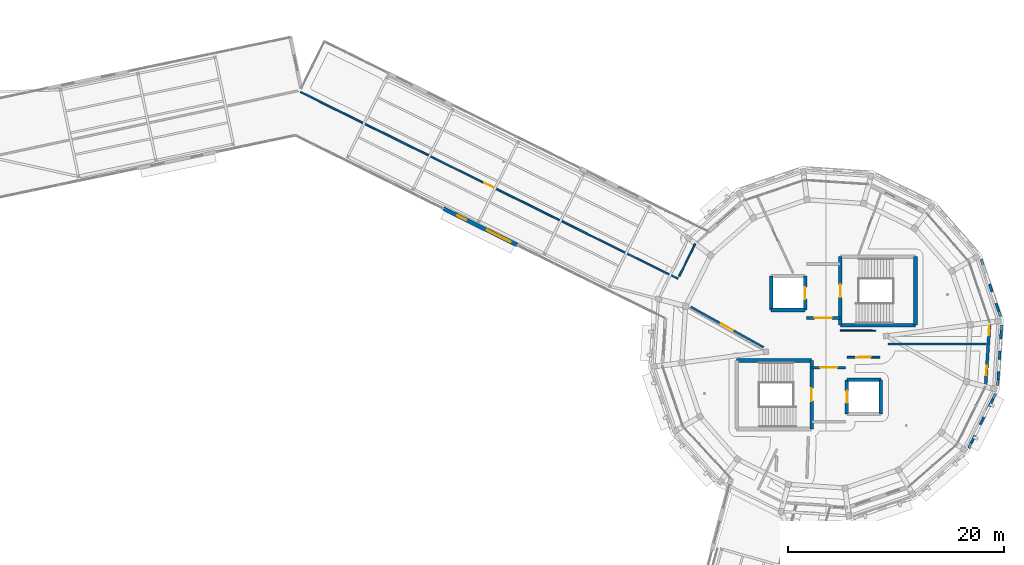
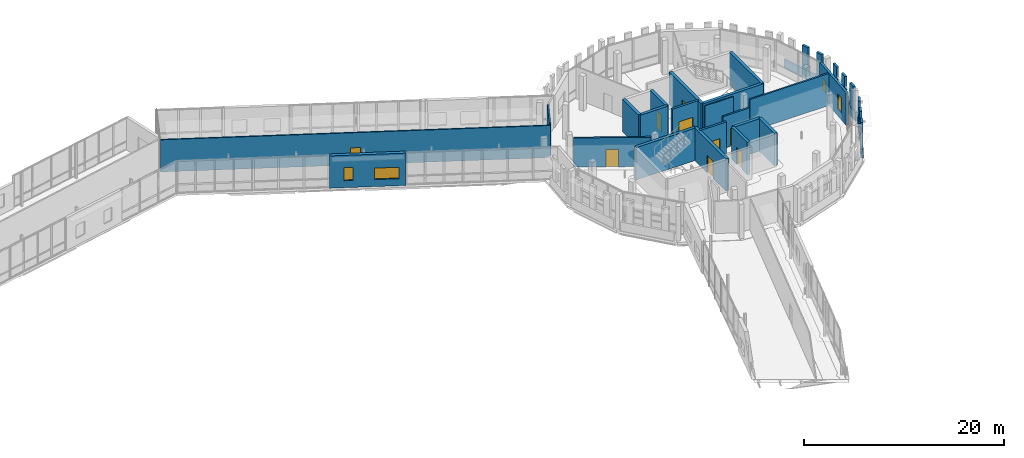
# One storey, part 102 of 125: 32 walls, 9 doors, 4 windows, 13 openings.
"""IFC4 building model written with IfcOpenShell, lengths in metres."""

from ifc_helpers import new_model, si_unit, direction, frame, frame_2d, origin, place, context, subcontext, project, spatial, rectangle, extrude, material, layer, layer_set, type_object, element, fill, save


model = new_model("IFC4")

# Units and contexts
model_context = context("Model", 3, precision=1e-05, world=origin(), true_north=direction((0.0, 1.0)))
body_context = subcontext(model_context, "Body", "Model", "MODEL_VIEW")
ifc_project = project(units=[si_unit("LENGTHUNIT", "METRE"), si_unit("AREAUNIT", "SQUARE_METRE"), si_unit("VOLUMEUNIT", "CUBIC_METRE"), si_unit("PLANEANGLEUNIT", "RADIAN"), si_unit("MASSUNIT", "GRAM", prefix="KILO")], contexts=[model_context])

# Site, building, storey
site_placement = place(None, origin())
site = spatial("IfcSite", under=ifc_project, at=site_placement, CompositionType="ELEMENT")
building_placement = place(site_placement, origin())
building = spatial("IfcBuilding", under=site, at=building_placement, Name="Wrenclough Park School", CompositionType="ELEMENT")
storey_placement = place(building_placement, frame((0.0, 0.0, 4.199951171875)))
storey = spatial("IfcBuildingStorey", under=building, at=storey_placement, Name="L01", CompositionType="ELEMENT", Elevation=4.199951171875)

# Walls
ifc_material_1 = material(Name="Perforated open-bond Staffordshire and Manchester brick screen pier", Category="masonry")
ifc_layer_1 = layer(ifc_material_1, 0.2451171875)
ifc_layer_set_1 = layer_set([ifc_layer_1], Name="Perforated open-bond Staffordshire and Manchester brick screen pier")
wall_type_1 = type_object("IfcWallType", Name="ENV-BS-PR245", PredefinedType="ELEMENTEDWALL", material=ifc_layer_set_1)
for number, where, z_axis, x_axis, name in (
    (1, (190.47216796875, 96.537841796875, 1.090087890625), (0.0, 0.0, 1.0), (-0.321522655386, 0.946901886192, 0.0), "D5 L01 perforated brick screen pier 0350"),
    (2, (189.86865234375, 98.315673828125, 1.090087890625), (0.0, 0.0, 1.0), (-0.32123461411, 0.946999642396, 0.0), "D5 L01 perforated brick screen pier 0351"),
    (3, (187.94189453125, 84.353759765625, 1.090087890625), (0.0, 0.0, 1.0), (0.442324339485, 0.896855160379, 0.0), "D5 L01 perforated brick screen pier 0381"),
    (4, (188.7724609375, 86.03759765625, 1.090087890625), (0.0, 0.0, 1.0), (0.442324339485, 0.896855160379, 0.0), "D5 L01 perforated brick screen pier 0382"),
    (5, (189.602783203125, 87.7216796875, 1.090087890625), (0.0, 0.0, 1.0), (0.442324339485, 0.896855160379, 0.0), "D5 L01 perforated brick screen pier 0383"),
    (6, (190.4189453125, 90.1943359375, 1.090087890625), (0.0, 0.0, 1.0), (0.065538124105, 0.997850066036, 0.0), "D5 L01 perforated brick screen pier 0384"),
    (7, (190.541748046875, 92.06787109375, 1.090087890625), (0.0, 0.0, 1.0), (0.065538124105, 0.997850066036, 0.0), "D5 L01 perforated brick screen pier 0385"),
    (8, (190.66455078125, 93.94140625, 1.090087890625), (0.0, 0.0, 1.0), (0.065538124105, 0.997850066036, 0.0), "D5 L01 perforated brick screen pier 0386"),
):
    element("IfcWall", number, at=place(storey_placement, frame(where, z_axis=z_axis, x_axis=x_axis)), inside=storey, type_object=wall_type_1, Name=name, PredefinedType="ELEMENTEDWALL", context=body_context, shape_type="SweptSolid", body=[
        extrude(rectangle(XDim=0.760009765625, YDim=0.2451171875, at=frame_2d((0.3798828125, 0.0))), origin(), (0.0, 0.0, 1.0), 2.849853515625),
    ])
ifc_material_2 = material(Name="Open-bond Manchester multi-stock brick spandrel screen", Category="masonry")
ifc_layer_2 = layer(ifc_material_2, 0.22509765625)
ifc_layer_set_2 = layer_set([ifc_layer_2], Name="Open-bond Manchester multi-stock brick spandrel screen")
wall_type_2 = type_object("IfcWallType", Name="ENV-BS-SP225", PredefinedType="ELEMENTEDWALL", material=ifc_layer_set_2)
wall_1_placement = place(storey_placement, frame((190.65185546875, 96.0087890625, 0.0), z_axis=(0.0, 0.0, 1.0), x_axis=(-0.321450435893, 0.946926405411, 0.0)))
element("IfcWall", 9, at=wall_1_placement, inside=storey, type_object=wall_type_2, Name="D5 L01 open-bond brick screen spandrel 0096", PredefinedType="ELEMENTEDWALL", context=body_context, shape_type="SweptSolid", body=[
    extrude(rectangle(XDim=5.63232421875, YDim=0.22509765625, at=frame_2d((2.816162109375, 0.0))), origin(), (0.0, 0.0, 1.0), 1.090087890625),
])
wall_2_placement = place(storey_placement, frame((187.69482421875, 83.8525390625, 0.0), z_axis=(0.0, 0.0, 1.0), x_axis=(0.442317796398, 0.896858387366, 0.0)))
element("IfcWall", 10, at=wall_2_placement, inside=storey, type_object=wall_type_2, Name="D5 L01 open-bond brick screen spandrel 0107", PredefinedType="ELEMENTEDWALL", context=body_context, shape_type="SweptSolid", body=[
    extrude(rectangle(XDim=5.6328125, YDim=0.22509765625, at=frame_2d((2.81640625, 0.0))), origin(), (0.0, 0.0, 1.0), 1.090087890625),
])
wall_3_placement = place(storey_placement, frame((190.38232421875, 89.63671875, 0.0), z_axis=(0.0, 0.0, 1.0), x_axis=(0.065408478609, 0.997858572607, 0.0)))
element("IfcWall", 11, at=wall_3_placement, inside=storey, type_object=wall_type_2, Name="D5 L01 open-bond brick screen spandrel 0108", PredefinedType="ELEMENTEDWALL", context=body_context, shape_type="SweptSolid", body=[
    extrude(rectangle(XDim=5.63232421875, YDim=0.22509765625, at=frame_2d((2.816162109375, 0.0))), origin(), (0.0, 0.0, 1.0), 1.090087890625),
])

# Wall, openings, windows
ifc_material_3 = material(Name="Link wing brick-faced cavity wall Concrete C32/40", Category="masonry")
ifc_layer_3 = layer(ifc_material_3, 0.27490234375)
ifc_layer_set_3 = layer_set([ifc_layer_3], Name="Link wing brick-faced cavity wall Concrete C32/40")
wall_type_3 = type_object("IfcWallType", Name="ENV-EW-275", PredefinedType="SOLIDWALL", material=ifc_layer_set_3)
wall_4_placement = place(storey_placement, frame((189.64697265625, 95.494140625, 0.0), z_axis=(0.0, 0.0, 1.0), x_axis=(-0.065407169492, -0.997858658418, 0.0)))
wall_4 = element("IfcWall", 12, at=wall_4_placement, inside=storey, type_object=wall_type_3, Name="L01 insulated brick external wall 0094", PredefinedType="SOLIDWALL", context=body_context, shape_type="SweptSolid", body=[
    extrude(rectangle(XDim=5.9609375, YDim=0.27490234375, at=frame_2d((2.98046875, 0.0))), origin(), (0.0, 0.0, 1.0), 3.93994140625),
])
opening_1_placement = place(wall_4_placement, frame((0.35009765625, 0.0, 0.85009765625)))
opening_1 = element("IfcOpeningElement", 13, at=opening_1_placement, cuts=wall_4, Name="Opening WN-01", PredefinedType="OPENING", context=body_context, shape_type="SweptSolid", body=[
    extrude(rectangle(XDim=0.85009765625, YDim=1.39990234375, at=frame_2d((0.425048828125, 0.699951171875))), frame((0.0, 0.1474609375, 0.0), z_axis=(0.0, -1.0, 0.0), x_axis=(1.0, 0.0, 0.0)), (0.0, 0.0, 1.0), 0.294921875),
])
opening_2_placement = place(wall_4_placement, frame((4.020751953125, 0.0, 0.85009765625)))
opening_2 = element("IfcOpeningElement", 14, at=opening_2_placement, cuts=wall_4, Name="Opening WN-25", PredefinedType="OPENING", context=body_context, shape_type="SweptSolid", body=[
    extrude(rectangle(XDim=0.89990234375, YDim=1.800048828125, at=frame_2d((0.449951171875, 0.89990234375))), frame((0.0, 0.1474609375, 0.0), z_axis=(0.0, -1.0, 0.0), x_axis=(1.0, 0.0, 0.0)), (0.0, 0.0, 1.0), 0.294921875),
])
ifc_material_4 = material(Name="Thermally broken aluminium and double-glazed low-e glass", Category="aluminium")
window_type_1 = type_object("IfcWindowType", Name="ENV-WN-01", PartitioningType="SINGLE_PANEL", PredefinedType="WINDOW", material=ifc_material_4)
window_1_placement = place(opening_1_placement, origin())
window_1 = element("IfcWindow", 15, at=window_1_placement, inside=storey, type_object=window_type_1, Name="L01 scheduled facade window 0135", OverallHeight=1.39990234375, OverallWidth=0.85009765625, PartitioningType="SINGLE_PANEL", PredefinedType="WINDOW", context=body_context, shape_type="SweptSolid", body=[
    extrude(rectangle(XDim=0.85009765625, YDim=1.39990234375, at=frame_2d((0.425048828125, 0.699951171875))), frame((0.0, 0.030029296875, 0.0), z_axis=(0.0, -1.0, 0.0), x_axis=(1.0, 0.0, 0.0)), (0.0, 0.0, 1.0), 0.06005859375),
])
fill(opening_1, window_1)
window_type_2 = type_object("IfcWindowType", Name="ENV-WN-25", PartitioningType="SINGLE_PANEL", PredefinedType="WINDOW", material=ifc_material_4)
window_2_placement = place(opening_2_placement, origin())
window_2 = element("IfcWindow", 16, at=window_2_placement, inside=storey, type_object=window_type_2, Name="L01 scheduled facade window 0136", OverallHeight=1.800048828125, OverallWidth=0.89990234375, PartitioningType="SINGLE_PANEL", PredefinedType="WINDOW", context=body_context, shape_type="SweptSolid", body=[
    extrude(rectangle(XDim=0.89990234375, YDim=1.800048828125, at=frame_2d((0.449951171875, 0.89990234375))), frame((0.0, 0.030029296875, 0.0), z_axis=(0.0, -1.0, 0.0), x_axis=(1.0, 0.0, 0.0)), (0.0, 0.0, 1.0), 0.06005859375),
])
fill(opening_2, window_2)

ifc_material_5 = material(Name="Faceted courtyard brick-cavity wall Concrete C35/45", Category="masonry")
ifc_layer_4 = layer(ifc_material_5, 0.364990234375)
ifc_layer_set_4 = layer_set([ifc_layer_4], Name="Faceted courtyard brick-cavity wall Concrete C35/45")
wall_type_4 = type_object("IfcWallType", Name="ENV-EW-365", PredefinedType="SOLIDWALL", material=ifc_layer_set_4)
wall_5_placement = place(storey_placement, frame((145.943603515625, 102.632568359375, 0.0), z_axis=(0.0, 0.0, 1.0), x_axis=(-0.896266612371, 0.443515681289, 0.0)))
wall_5 = element("IfcWall", 17, at=wall_5_placement, inside=storey, type_object=wall_type_4, Name="L01 insulated brick external wall 0119", PredefinedType="SOLIDWALL", context=body_context, shape_type="SweptSolid", body=[
    extrude(rectangle(XDim=7.639892578125, YDim=0.364990234375, at=frame_2d((3.81982421875, 0.0))), origin(), (0.0, 0.0, 1.0), 3.93994140625),
])
opening_3_placement = place(wall_5_placement, frame((0.68505859375, 0.0, 0.85009765625)))
opening_3 = element("IfcOpeningElement", 18, at=opening_3_placement, cuts=wall_5, Name="Opening WN-12", PredefinedType="OPENING", context=body_context, shape_type="SweptSolid", body=[
    extrude(rectangle(XDim=2.449951171875, YDim=1.39990234375, at=frame_2d((1.22509765625, 0.699951171875))), frame((0.0, 0.1923828125, 0.0), z_axis=(0.0, -1.0, 0.0), x_axis=(1.0, 0.0, 0.0)), (0.0, 0.0, 1.0), 0.385009765625),
])
opening_4_placement = place(wall_5_placement, frame((5.27978515625, 0.0, 0.85009765625)))
opening_4 = element("IfcOpeningElement", 19, at=opening_4_placement, cuts=wall_5, Name="Opening WN-13", PredefinedType="OPENING", context=body_context, shape_type="SweptSolid", body=[
    extrude(rectangle(XDim=0.89990234375, YDim=1.60009765625, at=frame_2d((0.449951171875, 0.800048828125))), frame((0.0, 0.1923828125, 0.0), z_axis=(0.0, -1.0, 0.0), x_axis=(1.0, 0.0, 0.0)), (0.0, 0.0, 1.0), 0.385009765625),
])
window_type_3 = type_object("IfcWindowType", Name="ENV-WN-12", PartitioningType="DOUBLE_PANEL_VERTICAL", PredefinedType="WINDOW", material=ifc_material_4)
window_3_placement = place(opening_3_placement, origin())
window_3 = element("IfcWindow", 20, at=window_3_placement, inside=storey, type_object=window_type_3, Name="L01 scheduled facade window 0179", OverallHeight=1.39990234375, OverallWidth=2.449951171875, PartitioningType="SINGLE_PANEL", PredefinedType="WINDOW", context=body_context, shape_type="SweptSolid", body=[
    extrude(rectangle(XDim=2.449951171875, YDim=1.39990234375, at=frame_2d((1.22509765625, 0.699951171875))), frame((0.0, 0.030029296875, 0.0), z_axis=(0.0, -1.0, 0.0), x_axis=(1.0, 0.0, 0.0)), (0.0, 0.0, 1.0), 0.06005859375),
])
fill(opening_3, window_3)
window_type_4 = type_object("IfcWindowType", Name="ENV-WN-13", PartitioningType="SINGLE_PANEL", PredefinedType="WINDOW", material=ifc_material_4)
window_4_placement = place(opening_4_placement, origin())
window_4 = element("IfcWindow", 21, at=window_4_placement, inside=storey, type_object=window_type_4, Name="L01 scheduled facade window 0180", OverallHeight=1.60009765625, OverallWidth=0.89990234375, PartitioningType="SINGLE_PANEL", PredefinedType="WINDOW", context=body_context, shape_type="SweptSolid", body=[
    extrude(rectangle(XDim=0.89990234375, YDim=1.60009765625, at=frame_2d((0.449951171875, 0.800048828125))), frame((0.0, 0.030029296875, 0.0), z_axis=(0.0, -1.0, 0.0), x_axis=(1.0, 0.0, 0.0)), (0.0, 0.0, 1.0), 0.06005859375),
])
fill(opening_4, window_4)

# Wall, opening, door
ifc_material_6 = material(Name="Concrete C35/45", Category="concrete")
ifc_layer_5 = layer(ifc_material_6, 0.25)
ifc_layer_set_5 = layer_set([ifc_layer_5], Name="Concrete C35/45")
wall_type_5 = type_object("IfcWallType", Name="INT-CW-250", PredefinedType="SHEAR", material=ifc_layer_set_5)
wall_6_placement = place(storey_placement, frame((176.300048828125, 91.300048828125, 0.0), z_axis=(0.0, 0.0, 1.0), x_axis=(-1.0, 0.0, 0.0)))
wall_6 = element("IfcWall", 22, at=wall_6_placement, inside=storey, type_object=wall_type_5, Name="Core C5 L01 lobby fire wall north", PredefinedType="SHEAR", context=body_context, shape_type="SweptSolid", body=[
    extrude(rectangle(XDim=3.10009765625, YDim=0.25, at=frame_2d((1.550048828125, 0.0))), origin(), (0.0, 0.0, 1.0), 3.949951171875),
])
opening_5_placement = place(wall_6_placement, frame((0.75, 0.0, 0.0)))
opening_5 = element("IfcOpeningElement", 23, at=opening_5_placement, cuts=wall_6, Name="Opening DLB-C5-L01", PredefinedType="OPENING", context=body_context, shape_type="SweptSolid", body=[
    extrude(rectangle(XDim=1.60009765625, YDim=2.14990234375, at=frame_2d((0.800048828125, 1.074951171875))), frame((0.0, 0.135009765625, 0.0), z_axis=(0.0, -1.0, 0.0), x_axis=(1.0, 0.0, 0.0)), (0.0, 0.0, 1.0), 0.27001953125),
])
ifc_material_7 = material(Name="Double-leaf firefighting lobby door assembly", Category="wood")
door_type_1 = type_object("IfcDoorType", Name="INT-DR-FF160", OperationType="NOTDEFINED", PredefinedType="DOOR", material=ifc_material_7)
door_1_placement = place(opening_5_placement, origin())
door_1 = element("IfcDoor", 24, at=door_1_placement, inside=storey, type_object=door_type_1, Name="Core C5 L01 protected lobby fire door", OperationType="DOUBLE_DOOR_SINGLE_SWING", OverallHeight=2.14990234375, OverallWidth=1.60009765625, PredefinedType="DOOR", context=body_context, shape_type="SweptSolid", body=[
    extrude(rectangle(XDim=1.60009765625, YDim=2.14990234375, at=frame_2d((0.800048828125, 1.074951171875))), frame((0.0, 0.02490234375, 0.0), z_axis=(0.0, -1.0, 0.0), x_axis=(1.0, 0.0, 0.0)), (0.0, 0.0, 1.0), 0.050048828125),
])
fill(opening_5, door_1)

wall_7_placement = place(storey_placement, frame((172.699951171875, 95.89990234375, 0.0), z_axis=(0.0, 0.0, 1.0), x_axis=(1.0, 0.0, 0.0)))
wall_7 = element("IfcWall", 25, at=wall_7_placement, inside=storey, type_object=wall_type_5, Name="Core C6 L01 lobby fire wall south", PredefinedType="SHEAR", context=body_context, shape_type="SweptSolid", body=[
    extrude(rectangle(XDim=3.10009765625, YDim=0.25, at=frame_2d((1.550048828125, 0.0))), origin(), (0.0, 0.0, 1.0), 3.949951171875),
])
opening_6_placement = place(wall_7_placement, frame((0.75, 0.0, 0.0)))
opening_6 = element("IfcOpeningElement", 26, at=opening_6_placement, cuts=wall_7, Name="Opening DLB-C6-L01", PredefinedType="OPENING", context=body_context, shape_type="SweptSolid", body=[
    extrude(rectangle(XDim=1.60009765625, YDim=2.14990234375, at=frame_2d((0.800048828125, 1.074951171875))), frame((0.0, 0.135009765625, 0.0), z_axis=(0.0, -1.0, 0.0), x_axis=(1.0, 0.0, 0.0)), (0.0, 0.0, 1.0), 0.27001953125),
])
door_2_placement = place(opening_6_placement, origin())
door_2 = element("IfcDoor", 27, at=door_2_placement, inside=storey, type_object=door_type_1, Name="Core C6 L01 protected lobby fire door", OperationType="DOUBLE_DOOR_SINGLE_SWING", OverallHeight=2.14990234375, OverallWidth=1.60009765625, PredefinedType="DOOR", context=body_context, shape_type="SweptSolid", body=[
    extrude(rectangle(XDim=1.60009765625, YDim=2.14990234375, at=frame_2d((0.800048828125, 1.074951171875))), frame((0.0, 0.02490234375, 0.0), z_axis=(0.0, -1.0, 0.0), x_axis=(1.0, 0.0, 0.0)), (0.0, 0.0, 1.0), 0.050048828125),
])
fill(opening_6, door_2)

ifc_material_8 = material(Name="Concrete C40/50", Category="concrete")
ifc_layer_6 = layer(ifc_material_8, 0.340087890625)
ifc_layer_set_6 = layer_set([ifc_layer_6], Name="Concrete C40/50")
wall_type_6 = type_object("IfcWallType", Name="INT-CW-340", PredefinedType="SHEAR", material=ifc_layer_set_6)
wall_8_placement = place(storey_placement, frame((173.169921875, 85.6298828125, 0.0), z_axis=(0.0, 0.0, 1.0), x_axis=(0.0, 1.0, 0.0)))
wall_8 = element("IfcWall", 28, at=wall_8_placement, inside=storey, type_object=wall_type_6, Name="Core C5 L01 east shear wall", PredefinedType="SHEAR", context=body_context, shape_type="SweptSolid", body=[
    extrude(rectangle(XDim=6.340087890625, YDim=0.340087890625, at=frame_2d((3.169921875, 0.0))), origin(), (0.0, 0.0, 1.0), 3.949951171875),
])
opening_7_placement = place(wall_8_placement, frame((2.570068359375, 0.0, 0.0)))
opening_7 = element("IfcOpeningElement", 29, at=opening_7_placement, cuts=wall_8, Name="Opening DST-C5-L01", PredefinedType="OPENING", context=body_context, shape_type="SweptSolid", body=[
    extrude(rectangle(XDim=1.199951171875, YDim=2.10009765625, at=frame_2d((0.60009765625, 1.050048828125))), frame((0.0, 0.179931640625, 0.0), z_axis=(0.0, -1.0, 0.0), x_axis=(1.0, 0.0, 0.0)), (0.0, 0.0, 1.0), 0.360107421875),
])
ifc_material_9 = material(Name="Solid-core hardwood firefighting stair door assembly", Category="wood")
door_type_2 = type_object("IfcDoorType", Name="INT-DR-FF120", OperationType="NOTDEFINED", PredefinedType="DOOR", material=ifc_material_9)
door_3_placement = place(opening_7_placement, origin())
door_3 = element("IfcDoor", 30, at=door_3_placement, inside=storey, type_object=door_type_2, Name="Stair ST-05 L01 fire door", OperationType="SINGLE_SWING_RIGHT", OverallHeight=2.10009765625, OverallWidth=1.199951171875, PredefinedType="DOOR", context=body_context, shape_type="SweptSolid", body=[
    extrude(rectangle(XDim=1.199951171875, YDim=2.10009765625, at=frame_2d((0.60009765625, 1.050048828125))), frame((0.0, 0.02490234375, 0.0), z_axis=(0.0, -1.0, 0.0), x_axis=(1.0, 0.0, 0.0)), (0.0, 0.0, 1.0), 0.050048828125),
])
fill(opening_7, door_3)

# Walls
wall_9_placement = place(storey_placement, frame((173.169921875, 91.969970703125, 0.0), z_axis=(0.0, 0.0, 1.0), x_axis=(-1.0, 0.0, 0.0)))
element("IfcWall", 31, at=wall_9_placement, inside=storey, type_object=wall_type_6, Name="Core C5 L01 north shear wall", PredefinedType="SHEAR", context=body_context, shape_type="SweptSolid", body=[
    extrude(rectangle(XDim=6.93994140625, YDim=0.340087890625, at=frame_2d((3.469970703125, 0.0))), origin(), (0.0, 0.0, 1.0), 3.949951171875),
])
wall_10_placement = place(storey_placement, frame((179.570068359375, 87.030029296875, 0.0), z_axis=(0.0, 0.0, 1.0), x_axis=(0.0, 1.0, 0.0)))
element("IfcWall", 32, at=wall_10_placement, inside=storey, type_object=wall_type_6, Name="Lift LFT-01 L01 east shaft wall", PredefinedType="SHEAR", context=body_context, shape_type="SweptSolid", body=[
    extrude(rectangle(XDim=3.139892578125, YDim=0.340087890625, at=frame_2d((1.56982421875, 0.0))), origin(), (0.0, 0.0, 1.0), 3.949951171875),
])
wall_11_placement = place(storey_placement, frame((179.570068359375, 90.169921875, 0.0), z_axis=(0.0, 0.0, 1.0), x_axis=(-1.0, 0.0, 0.0)))
element("IfcWall", 33, at=wall_11_placement, inside=storey, type_object=wall_type_6, Name="Lift LFT-01 L01 north shaft wall", PredefinedType="SHEAR", context=body_context, shape_type="SweptSolid", body=[
    extrude(rectangle(XDim=3.14013671875, YDim=0.340087890625, at=frame_2d((1.570068359375, 0.0))), origin(), (0.0, 0.0, 1.0), 3.949951171875),
])

# Wall, opening, door
wall_12_placement = place(storey_placement, frame((176.429931640625, 90.169921875, 0.0), z_axis=(0.0, 0.0, 1.0), x_axis=(0.0, -1.0, 0.0)))
wall_12 = element("IfcWall", 34, at=wall_12_placement, inside=storey, type_object=wall_type_6, Name="Lift LFT-01 L01 west shaft wall", PredefinedType="SHEAR", context=body_context, shape_type="SweptSolid", body=[
    extrude(rectangle(XDim=3.139892578125, YDim=0.340087890625, at=frame_2d((1.56982421875, 0.0))), origin(), (0.0, 0.0, 1.0), 3.949951171875),
])
opening_8_placement = place(wall_12_placement, frame((1.02001953125, 0.0, 0.0)))
opening_8 = element("IfcOpeningElement", 35, at=opening_8_placement, cuts=wall_12, Name="Opening LD-01-L01", PredefinedType="OPENING", context=body_context, shape_type="SweptSolid", body=[
    extrude(rectangle(XDim=1.10009765625, YDim=2.10009765625, at=frame_2d((0.550048828125, 1.050048828125))), frame((0.0, 0.179931640625, 0.0), z_axis=(0.0, -1.0, 0.0), x_axis=(1.0, 0.0, 0.0)), (0.0, 0.0, 1.0), 0.360107421875),
])
ifc_material_10 = material(Name="Brushed stainless steel", Category="steel")
door_type_3 = type_object("IfcDoorType", Name="INT-DR-LD110", OperationType="NOTDEFINED", PredefinedType="DOOR", material=ifc_material_10)
door_4_placement = place(opening_8_placement, frame((1.10009765625, 0.0, 0.0), z_axis=(0.0, 0.0, 1.0), x_axis=(-1.0, 0.0, 0.0)))
door_4 = element("IfcDoor", 36, at=door_4_placement, inside=storey, type_object=door_type_3, Name="Lift LFT-01 L01 sliding landing door", OperationType="DOUBLE_DOOR_SLIDING", OverallHeight=2.10009765625, OverallWidth=1.10009765625, PredefinedType="DOOR", context=body_context, shape_type="SweptSolid", body=[
    extrude(rectangle(XDim=1.10009765625, YDim=2.10009765625, at=frame_2d((0.550048828125, 1.050048828125))), frame((0.0, 0.02490234375, 0.0), z_axis=(0.0, -1.0, 0.0), x_axis=(1.0, 0.0, 0.0)), (0.0, 0.0, 1.0), 0.050048828125),
])
fill(opening_8, door_4)

# Walls
wall_13_placement = place(storey_placement, frame((175.830078125, 95.22998046875, 0.0), z_axis=(0.0, 0.0, 1.0), x_axis=(1.0, 0.0, 0.0)))
element("IfcWall", 37, at=wall_13_placement, inside=storey, type_object=wall_type_6, Name="Core C6 L01 south shear wall", PredefinedType="SHEAR", context=body_context, shape_type="SweptSolid", body=[
    extrude(rectangle(XDim=6.93994140625, YDim=0.340087890625, at=frame_2d((3.469970703125, 0.0))), origin(), (0.0, 0.0, 1.0), 3.949951171875),
])
wall_14_placement = place(storey_placement, frame((182.77001953125, 95.22998046875, 0.0), z_axis=(0.0, 0.0, 1.0), x_axis=(0.0, 1.0, 0.0)))
element("IfcWall", 38, at=wall_14_placement, inside=storey, type_object=wall_type_6, Name="Core C6 L01 east shear wall", PredefinedType="SHEAR", context=body_context, shape_type="SweptSolid", body=[
    extrude(rectangle(XDim=6.340087890625, YDim=0.340087890625, at=frame_2d((3.169921875, 0.0))), origin(), (0.0, 0.0, 1.0), 3.949951171875),
])

# Wall, opening, door
wall_15_placement = place(storey_placement, frame((175.830078125, 101.570068359375, 0.0), z_axis=(0.0, 0.0, 1.0), x_axis=(0.0, -1.0, 0.0)))
wall_15 = element("IfcWall", 39, at=wall_15_placement, inside=storey, type_object=wall_type_6, Name="Core C6 L01 west shear wall", PredefinedType="SHEAR", context=body_context, shape_type="SweptSolid", body=[
    extrude(rectangle(XDim=6.340087890625, YDim=0.340087890625, at=frame_2d((3.169921875, 0.0))), origin(), (0.0, 0.0, 1.0), 3.949951171875),
])
opening_9_placement = place(wall_15_placement, frame((2.570068359375, 0.0, 0.0)))
opening_9 = element("IfcOpeningElement", 40, at=opening_9_placement, cuts=wall_15, Name="Opening DST-C6-L01", PredefinedType="OPENING", context=body_context, shape_type="SweptSolid", body=[
    extrude(rectangle(XDim=1.199951171875, YDim=2.10009765625, at=frame_2d((0.60009765625, 1.050048828125))), frame((0.0, 0.179931640625, 0.0), z_axis=(0.0, -1.0, 0.0), x_axis=(1.0, 0.0, 0.0)), (0.0, 0.0, 1.0), 0.360107421875),
])
door_5_placement = place(opening_9_placement, origin())
door_5 = element("IfcDoor", 41, at=door_5_placement, inside=storey, type_object=door_type_2, Name="Stair ST-06 L01 fire door", OperationType="SINGLE_SWING_RIGHT", OverallHeight=2.10009765625, OverallWidth=1.199951171875, PredefinedType="DOOR", context=body_context, shape_type="SweptSolid", body=[
    extrude(rectangle(XDim=1.199951171875, YDim=2.10009765625, at=frame_2d((0.60009765625, 1.050048828125))), frame((0.0, 0.02490234375, 0.0), z_axis=(0.0, -1.0, 0.0), x_axis=(1.0, 0.0, 0.0)), (0.0, 0.0, 1.0), 0.050048828125),
])
fill(opening_9, door_5)

# Wall
wall_16_placement = place(storey_placement, frame((169.429931640625, 96.6298828125, 0.0), z_axis=(0.0, 0.0, 1.0), x_axis=(1.0, 0.0, 0.0)))
element("IfcWall", 42, at=wall_16_placement, inside=storey, type_object=wall_type_6, Name="Lift LFT-02 L01 south shaft wall", PredefinedType="SHEAR", context=body_context, shape_type="SweptSolid", body=[
    extrude(rectangle(XDim=3.14013671875, YDim=0.340087890625, at=frame_2d((1.570068359375, 0.0))), origin(), (0.0, 0.0, 1.0), 3.949951171875),
])

# Wall, opening, door
wall_17_placement = place(storey_placement, frame((172.570068359375, 96.6298828125, 0.0), z_axis=(0.0, 0.0, 1.0), x_axis=(0.0, 1.0, 0.0)))
wall_17 = element("IfcWall", 43, at=wall_17_placement, inside=storey, type_object=wall_type_6, Name="Lift LFT-02 L01 east shaft wall", PredefinedType="SHEAR", context=body_context, shape_type="SweptSolid", body=[
    extrude(rectangle(XDim=3.14013671875, YDim=0.340087890625, at=frame_2d((1.570068359375, 0.0))), origin(), (0.0, 0.0, 1.0), 3.949951171875),
])
opening_10_placement = place(wall_17_placement, frame((1.02001953125, 0.0, 0.0)))
opening_10 = element("IfcOpeningElement", 44, at=opening_10_placement, cuts=wall_17, Name="Opening LD-02-L01", PredefinedType="OPENING", context=body_context, shape_type="SweptSolid", body=[
    extrude(rectangle(XDim=1.10009765625, YDim=2.10009765625, at=frame_2d((0.550048828125, 1.050048828125))), frame((0.0, 0.179931640625, 0.0), z_axis=(0.0, -1.0, 0.0), x_axis=(1.0, 0.0, 0.0)), (0.0, 0.0, 1.0), 0.360107421875),
])
door_6_placement = place(opening_10_placement, frame((1.10009765625, 0.0, 0.0), z_axis=(0.0, 0.0, 1.0), x_axis=(-1.0, 0.0, 0.0)))
door_6 = element("IfcDoor", 45, at=door_6_placement, inside=storey, type_object=door_type_3, Name="Lift LFT-02 L01 sliding landing door", OperationType="DOUBLE_DOOR_SLIDING", OverallHeight=2.10009765625, OverallWidth=1.10009765625, PredefinedType="DOOR", context=body_context, shape_type="SweptSolid", body=[
    extrude(rectangle(XDim=1.10009765625, YDim=2.10009765625, at=frame_2d((0.550048828125, 1.050048828125))), frame((0.0, 0.02490234375, 0.0), z_axis=(0.0, -1.0, 0.0), x_axis=(1.0, 0.0, 0.0)), (0.0, 0.0, 1.0), 0.050048828125),
])
fill(opening_10, door_6)

# Walls
wall_18_placement = place(storey_placement, frame((169.429931640625, 99.77001953125, 0.0), z_axis=(0.0, 0.0, 1.0), x_axis=(0.0, -1.0, 0.0)))
element("IfcWall", 46, at=wall_18_placement, inside=storey, type_object=wall_type_6, Name="Lift LFT-02 L01 west shaft wall", PredefinedType="SHEAR", context=body_context, shape_type="SweptSolid", body=[
    extrude(rectangle(XDim=3.14013671875, YDim=0.340087890625, at=frame_2d((1.570068359375, 0.0))), origin(), (0.0, 0.0, 1.0), 3.949951171875),
])
ifc_material_11 = material(Name="Lightweight fire-rated store partition", Category="gypsum")
ifc_layer_7 = layer(ifc_material_11, 0.110107421875)
ifc_layer_set_7 = layer_set([ifc_layer_7], Name="Lightweight fire-rated store partition")
wall_type_7 = type_object("IfcWallType", Name="INT-PW-110", PredefinedType="PARTITIONING", material=ifc_layer_set_7)
wall_19_placement = place(storey_placement, frame((175.81884765625, 94.74560546875, 0.0), z_axis=(0.0, 0.0, 1.0), x_axis=(0.999987908498, -0.004917606882, 0.0)))
element("IfcWall", 47, at=wall_19_placement, inside=storey, type_object=wall_type_7, Name="L01 internal partition 0269", PredefinedType="PARTITIONING", context=body_context, shape_type="SweptSolid", body=[
    extrude(rectangle(XDim=3.276611328125, YDim=0.110107421875, at=frame_2d((1.63818359375, 0.0))), origin(), (0.0, 0.0, 1.0), 3.9150390625),
])

# Wall, opening, door
ifc_material_12 = material(Name="Protected corridor partition", Category="gypsum")
ifc_layer_8 = layer(ifc_material_12, 0.14990234375)
ifc_layer_set_8 = layer_set([ifc_layer_8], Name="Protected corridor partition")
wall_type_8 = type_object("IfcWallType", Name="INT-PW-150", PredefinedType="PARTITIONING", material=ifc_layer_set_8)
wall_20_placement = place(storey_placement, frame((125.870361328125, 116.803955078125, 0.0), z_axis=(0.0, 0.0, 1.0), x_axis=(0.896396995338, -0.443252102926, 0.0)))
wall_20 = element("IfcWall", 48, at=wall_20_placement, inside=storey, type_object=wall_type_8, Name="L01 internal partition 0300", PredefinedType="PARTITIONING", context=body_context, shape_type="SweptSolid", body=[
    extrude(rectangle(XDim=38.967529296875, YDim=0.14990234375, at=frame_2d((19.48388671875, 0.0))), origin(), (0.0, 0.0, 1.0), 3.9150390625),
])
opening_11_placement = place(wall_20_placement, frame((19.00390625, 0.0, 0.0)))
opening_11 = element("IfcOpeningElement", 49, at=opening_11_placement, cuts=wall_20, Name="Opening DR-L01-057", PredefinedType="OPENING", context=body_context, shape_type="SweptSolid", body=[
    extrude(rectangle(XDim=0.9599609375, YDim=2.080078125, at=frame_2d((0.47998046875, 1.0400390625))), frame((0.0, 0.0849609375, 0.0), z_axis=(0.0, -1.0, 0.0), x_axis=(1.0, 0.0, 0.0)), (0.0, 0.0, 1.0), 0.169921875),
])
ifc_material_13 = material(Name="General teaching room single door assembly", Category="wood")
door_type_4 = type_object("IfcDoorType", Name="INT-DR-CL096", OperationType="NOTDEFINED", PredefinedType="DOOR", material=ifc_material_13)
door_7_placement = place(opening_11_placement, origin())
door_7 = element("IfcDoor", 50, at=door_7_placement, inside=storey, type_object=door_type_4, Name="Sixth Form Tutorial Classroom L01 door DR-L01-057", OperationType="SINGLE_SWING_RIGHT", OverallHeight=2.080078125, OverallWidth=0.9599609375, PredefinedType="DOOR", context=body_context, shape_type="SweptSolid", body=[
    extrude(rectangle(XDim=0.9599609375, YDim=2.080078125, at=frame_2d((0.47998046875, 1.0400390625))), frame((0.0, 0.02490234375, 0.0), z_axis=(0.0, -1.0, 0.0), x_axis=(1.0, 0.0, 0.0)), (0.0, 0.0, 1.0), 0.050048828125),
])
fill(opening_11, door_7)

# Wall
wall_21_placement = place(storey_placement, frame((160.911376953125, 99.755615234375, 0.0), z_axis=(0.0, 0.0, 1.0), x_axis=(0.442578005826, 0.896730008843, 0.0)))
element("IfcWall", 51, at=wall_21_placement, inside=storey, type_object=wall_type_8, Name="L01 internal partition 0301", PredefinedType="PARTITIONING", context=body_context, shape_type="SweptSolid", body=[
    extrude(rectangle(XDim=3.35400390625, YDim=0.14990234375, at=frame_2d((1.677001953125, 0.0))), origin(), (0.0, 0.0, 1.0), 3.9150390625),
])

# Wall, opening, door
ifc_material_14 = material(Name="Laboratory fire and acoustic partition", Category="gypsum")
ifc_layer_9 = layer(ifc_material_14, 0.18505859375)
ifc_layer_set_9 = layer_set([ifc_layer_9], Name="Laboratory fire and acoustic partition")
wall_type_9 = type_object("IfcWallType", Name="INT-PW-185", PredefinedType="PARTITIONING", material=ifc_layer_set_9)
wall_22_placement = place(storey_placement, frame((168.720947265625, 93.19140625, 0.0), z_axis=(0.0, 0.0, 1.0), x_axis=(-0.874267829938, 0.485443880933, 0.0)))
wall_22 = element("IfcWall", 52, at=wall_22_placement, inside=storey, type_object=wall_type_9, Name="L01 internal partition 0261", PredefinedType="PARTITIONING", context=body_context, shape_type="SweptSolid", body=[
    extrude(rectangle(XDim=7.706787109375, YDim=0.18505859375, at=frame_2d((3.853515625, 0.0))), origin(), (0.0, 0.0, 1.0), 3.56201171875),
])
opening_12_placement = place(wall_22_placement, frame((3.21337890625, 0.0, 0.0)))
opening_12 = element("IfcOpeningElement", 53, at=opening_12_placement, cuts=wall_22, Name="Opening DR-L01-047", PredefinedType="OPENING", context=body_context, shape_type="SweptSolid", body=[
    extrude(rectangle(XDim=1.280029296875, YDim=2.139892578125, at=frame_2d((0.64013671875, 1.06982421875))), frame((0.0, 0.1025390625, 0.0), z_axis=(0.0, -1.0, 0.0), x_axis=(1.0, 0.0, 0.0)), (0.0, 0.0, 1.0), 0.205078125),
])
ifc_material_15 = material(Name="Junior science laboratory leaf-and-a-half door assembly", Category="wood")
door_type_5 = type_object("IfcDoorType", Name="INT-DR-LAB128", OperationType="NOTDEFINED", PredefinedType="DOOR", material=ifc_material_15)
door_8_placement = place(opening_12_placement, origin())
door_8 = element("IfcDoor", 54, at=door_8_placement, inside=storey, type_object=door_type_5, Name="Senior Chemistry Science Laboratory 1 door DR-L01-047", OperationType="SINGLE_SWING_RIGHT", OverallHeight=2.139892578125, OverallWidth=1.280029296875, PredefinedType="DOOR", context=body_context, shape_type="SweptSolid", body=[
    extrude(rectangle(XDim=1.280029296875, YDim=2.139892578125, at=frame_2d((0.64013671875, 1.06982421875))), frame((0.0, 0.02490234375, 0.0), z_axis=(0.0, -1.0, 0.0), x_axis=(1.0, 0.0, 0.0)), (0.0, 0.0, 1.0), 0.050048828125),
])
fill(opening_12, door_8)

# Wall
wall_23_placement = place(storey_placement, frame((189.353515625, 93.5, 0.0), z_axis=(0.0, 0.0, 1.0), x_axis=(-1.0, 0.0, 0.0)))
element("IfcWall", 55, at=wall_23_placement, inside=storey, type_object=wall_type_9, Name="L01 internal partition 0266", PredefinedType="PARTITIONING", context=body_context, shape_type="SweptSolid", body=[
    extrude(rectangle(XDim=9.1083984375, YDim=0.18505859375, at=frame_2d((4.55419921875, 0.0))), origin(), (0.0, 0.0, 1.0), 3.9150390625),
])

# Wall, opening, door
wall_24_placement = place(storey_placement, frame((179.4912109375, 92.2705078125, 0.0), z_axis=(0.0, 0.0, 1.0), x_axis=(-0.999993200613, -0.00368764528, 0.0)))
wall_24 = element("IfcWall", 56, at=wall_24_placement, inside=storey, type_object=wall_type_9, Name="L01 internal partition 0267", PredefinedType="PARTITIONING", context=body_context, shape_type="SweptSolid", body=[
    extrude(rectangle(XDim=3.04541015625, YDim=0.18505859375, at=frame_2d((1.522705078125, 0.0))), origin(), (0.0, 0.0, 1.0), 3.9150390625),
])
opening_13_placement = place(wall_24_placement, frame((0.8427734375, 0.0, 0.0)))
opening_13 = element("IfcOpeningElement", 57, at=opening_13_placement, cuts=wall_24, Name="Opening DR-L01-048", PredefinedType="OPENING", context=body_context, shape_type="SweptSolid", body=[
    extrude(rectangle(XDim=1.360107421875, YDim=2.139892578125, at=frame_2d((0.68017578125, 1.06982421875))), frame((0.0, 0.1025390625, 0.0), z_axis=(0.0, -1.0, 0.0), x_axis=(1.0, 0.0, 0.0)), (0.0, 0.0, 1.0), 0.205078125),
])
ifc_material_16 = material(Name="Senior science laboratory leaf-and-a-half door assembly", Category="wood")
door_type_6 = type_object("IfcDoorType", Name="INT-DR-LAB136", OperationType="NOTDEFINED", PredefinedType="DOOR", material=ifc_material_16)
door_9_placement = place(opening_13_placement, origin())
door_9 = element("IfcDoor", 58, at=door_9_placement, inside=storey, type_object=door_type_6, Name="Senior Physics Science Laboratory 1 door DR-L01-048", OperationType="SINGLE_SWING_LEFT", OverallHeight=2.139892578125, OverallWidth=1.360107421875, PredefinedType="DOOR", context=body_context, shape_type="SweptSolid", body=[
    extrude(rectangle(XDim=1.360107421875, YDim=2.139892578125, at=frame_2d((0.68017578125, 1.06982421875))), frame((0.0, 0.02490234375, 0.0), z_axis=(0.0, -1.0, 0.0), x_axis=(1.0, 0.0, 0.0)), (0.0, 0.0, 1.0), 0.050048828125),
])
fill(opening_13, door_9)

save(model, "model.ifc")
